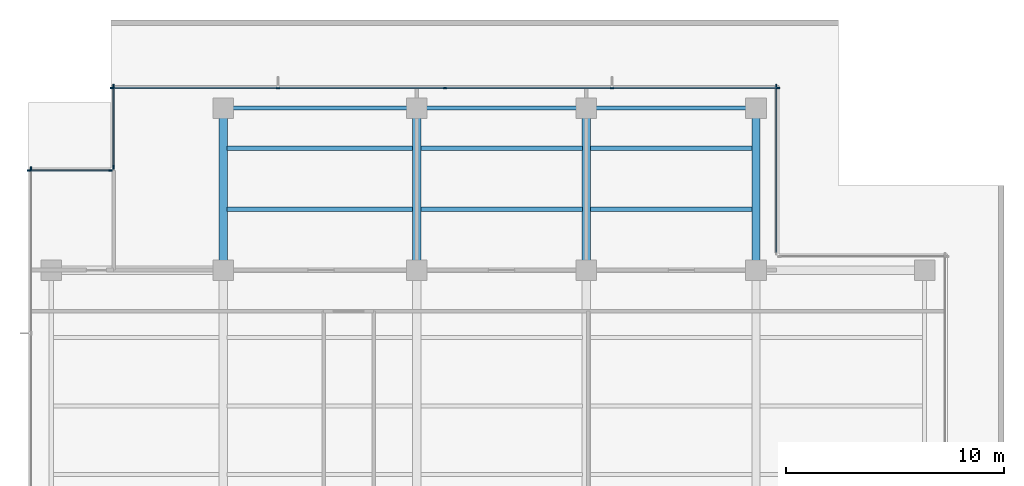
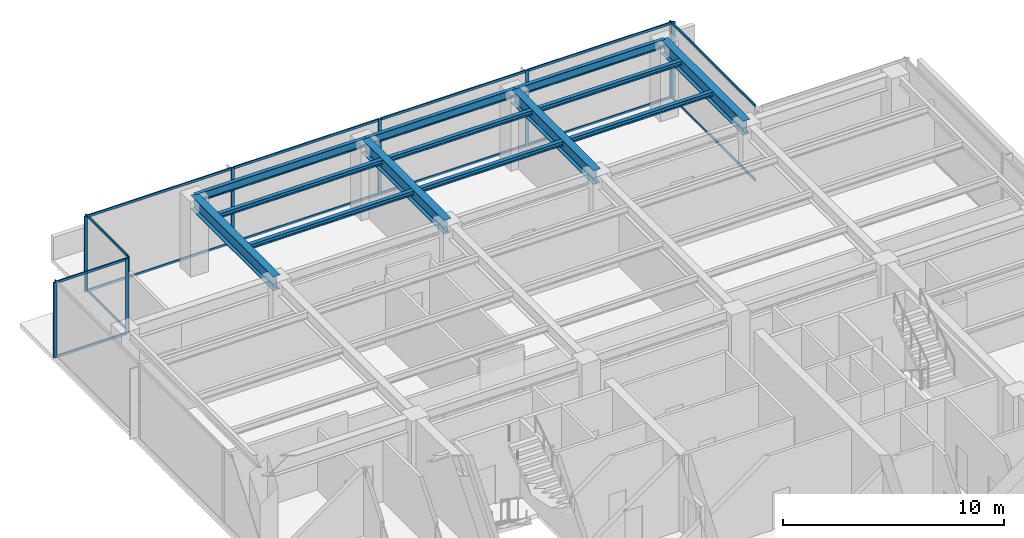
# One storey, part 5 of 14: 25 members, 13 beams, 5 elements without a shape of their own.
"""IFC4 building model written with IfcOpenShell, lengths in metres."""

from ifc_helpers import new_model, si_unit, direction, frame, origin, origin_2d, place, context, subcontext, project, spatial, rectangle, i_section, extrude, material, layer, layer_set, material_profile, profile_set, type_object, element, aggregate, save


model = new_model("IFC4")

# Units and contexts
model_context = context("Model", 3, precision=1e-05, world=origin(), true_north=direction((0.0, 1.0)))
body_context = subcontext(model_context, "Body", "Model", "MODEL_VIEW")
ifc_project = project(units=[si_unit("LENGTHUNIT", "METRE"), si_unit("AREAUNIT", "SQUARE_METRE"), si_unit("VOLUMEUNIT", "CUBIC_METRE"), si_unit("PLANEANGLEUNIT", "RADIAN"), si_unit("MASSUNIT", "GRAM", prefix="KILO")], contexts=[model_context])

# Site, building, storey
site_placement = place(None, origin())
site = spatial("IfcSite", under=ifc_project, at=site_placement, CompositionType="ELEMENT")
building_placement = place(site_placement, origin())
building = spatial("IfcBuilding", under=site, at=building_placement, Name="Qalmaran Belvedere Hotel", CompositionType="ELEMENT")
storey_placement = place(building_placement, frame((0.0, 0.0, 192.5)))
storey = spatial("IfcBuildingStorey", under=building, at=storey_placement, Name="L48", CompositionType="ELEMENT", Elevation=192.5)

# Beams
ifc_material_1 = material(Name="Steel S355JR", Category="steel")
ifc_material_profile_1 = material_profile(ifc_material_1, i_section(OverallWidth=0.201904296875, OverallDepth=0.2470703125, WebThickness=0.00732421875, FlangeThickness=0.010986328125, FilletRadius=0.011962890625, at=origin_2d()), Name="W250X49")
ifc_profile_set_1 = profile_set([ifc_material_profile_1], Name="Steel S355JR")
beam_type_1 = type_object("IfcBeamType", Name="BM-JST-W250X49", PredefinedType="JOIST", material=ifc_profile_set_1)
beam_1_placement = place(storey_placement, frame((20.488525390625, 35.800048828125, 4.03662109375), z_axis=(1.0, 0.0, 0.0), x_axis=(0.0, 1.0, 0.0)))
element("IfcBeam", 1, at=beam_1_placement, inside=storey, type_object=beam_type_1, Name="L48 North Floor Joist 047", PredefinedType="JOIST", context=body_context, shape_type="SweptSolid", body=[
    extrude(i_section(OverallWidth=0.201904296875, OverallDepth=0.2470703125, WebThickness=0.00732421875, FlangeThickness=0.010986328125, FilletRadius=0.011962890625, at=origin_2d()), origin(), (0.0, 0.0, 1.0), 8.52294921875),
])
for number, where, z_axis, x_axis, name in (
    (2, (29.388427734375, 35.800048828125, 4.03662109375), (1.0, 0.0, 0.0), (0.0, 1.0, 0.0), "L48 North Floor Joist 048"),
    (3, (37.1884765625, 35.800048828125, 4.03662109375), (1.0, 0.0, 0.0), (0.0, 1.0, 0.0), "L48 North Floor Joist 049"),
):
    element("IfcBeam", number, at=place(storey_placement, frame(where, z_axis=z_axis, x_axis=x_axis)), inside=storey, type_object=beam_type_1, Name=name, PredefinedType="JOIST", context=body_context, shape_type="SweptSolid", body=[
        extrude(i_section(OverallWidth=0.201904296875, OverallDepth=0.2470703125, WebThickness=0.00732421875, FlangeThickness=0.010986328125, FilletRadius=0.011962890625, at=origin_2d()), origin(), (0.0, 0.0, 1.0), 7.423095703125),
    ])
beam_2_placement = place(storey_placement, frame((20.488525390625, 38.60009765625, 4.03662109375), z_axis=(1.0, 0.0, 0.0), x_axis=(0.0, 1.0, 0.0)))
element("IfcBeam", 4, at=beam_2_placement, inside=storey, type_object=beam_type_1, Name="L48 North Floor Joist 050", PredefinedType="JOIST", context=body_context, shape_type="SweptSolid", body=[
    extrude(i_section(OverallWidth=0.201904296875, OverallDepth=0.2470703125, WebThickness=0.00732421875, FlangeThickness=0.010986328125, FilletRadius=0.011962890625, at=origin_2d()), origin(), (0.0, 0.0, 1.0), 8.52294921875),
])
for number, where, z_axis, x_axis, name in (
    (5, (29.388427734375, 38.60009765625, 4.03662109375), (1.0, 0.0, 0.0), (0.0, 1.0, 0.0), "L48 North Floor Joist 051"),
    (6, (37.1884765625, 38.60009765625, 4.03662109375), (1.0, 0.0, 0.0), (0.0, 1.0, 0.0), "L48 North Floor Joist 052"),
):
    element("IfcBeam", number, at=place(storey_placement, frame(where, z_axis=z_axis, x_axis=x_axis)), inside=storey, type_object=beam_type_1, Name=name, PredefinedType="JOIST", context=body_context, shape_type="SweptSolid", body=[
        extrude(i_section(OverallWidth=0.201904296875, OverallDepth=0.2470703125, WebThickness=0.00732421875, FlangeThickness=0.010986328125, FilletRadius=0.011962890625, at=origin_2d()), origin(), (0.0, 0.0, 1.0), 7.423095703125),
    ])
ifc_material_profile_2 = material_profile(ifc_material_1, i_section(OverallWidth=0.381103515625, OverallDepth=0.77294921875, WebThickness=0.0166015625, FlangeThickness=0.027099609375, FilletRadius=0.02197265625, at=origin_2d()), Name="W760X257")
ifc_profile_set_2 = profile_set([ifc_material_profile_2], Name="Steel S355JR")
beam_type_2 = type_object("IfcBeamType", Name="BM-PG4-W760X257", PredefinedType="USERDEFINED", material=ifc_profile_set_2)
for number, where, z_axis, x_axis, name in (
    (7, (20.300048828125, 33.0, 3.7734375), (0.0, 1.0, 0.0), (-1.0, 0.0, 0.0), "L48 North Bay Girder 15"),
    (8, (29.199951171875, 33.0, 3.7734375), (0.0, 1.0, 0.0), (-1.0, 0.0, 0.0), "L48 North Bay Girder 17"),
    (9, (37.0, 33.0, 3.7734375), (0.0, 1.0, 0.0), (-1.0, 0.0, 0.0), "L48 North Bay Girder 19"),
    (10, (44.800048828125, 33.0, 3.7734375), (0.0, 1.0, 0.0), (-1.0, 0.0, 0.0), "L48 North Bay Girder 21"),
):
    element("IfcBeam", number, at=place(storey_placement, frame(where, z_axis=z_axis, x_axis=x_axis)), inside=storey, type_object=beam_type_2, Name=name, ObjectType="GIRDER", PredefinedType="USERDEFINED", context=body_context, shape_type="SweptSolid", body=[
        extrude(i_section(OverallWidth=0.381103515625, OverallDepth=0.77294921875, WebThickness=0.0166015625, FlangeThickness=0.027099609375, FilletRadius=0.02197265625, at=origin_2d()), origin(), (0.0, 0.0, 1.0), 7.449951171875),
    ])
ifc_material_profile_3 = material_profile(ifc_material_1, i_section(OverallWidth=0.19189453125, OverallDepth=0.462890625, WebThickness=0.010498046875, FlangeThickness=0.017578125, FilletRadius=0.01611328125, at=origin_2d()), Name="W460X89")
ifc_profile_set_3 = profile_set([ifc_material_profile_3], Name="Steel S355JR")
beam_type_3 = type_object("IfcBeamType", Name="BM-SP2-W460X89", PredefinedType="SPANDREL", material=ifc_profile_set_3)
beam_3_placement = place(storey_placement, frame((20.300048828125, 40.449951171875, 3.928466796875), z_axis=(1.0, 0.0, 0.0), x_axis=(0.0, 1.0, 0.0)))
element("IfcBeam", 11, at=beam_3_placement, inside=storey, type_object=beam_type_3, Name="L48 Perimeter Spandrel 05", PredefinedType="SPANDREL", context=body_context, shape_type="SweptSolid", body=[
    extrude(i_section(OverallWidth=0.19189453125, OverallDepth=0.462890625, WebThickness=0.010498046875, FlangeThickness=0.017578125, FilletRadius=0.01611328125, at=origin_2d()), origin(), (0.0, 0.0, 1.0), 8.89990234375),
])
for number, where, z_axis, x_axis, name in (
    (12, (29.199951171875, 40.449951171875, 3.928466796875), (1.0, 0.0, 0.0), (0.0, 1.0, 0.0), "L48 Perimeter Spandrel 06"),
    (13, (37.0, 40.449951171875, 3.928466796875), (1.0, 0.0, 0.0), (0.0, 1.0, 0.0), "L48 Perimeter Spandrel 07"),
):
    element("IfcBeam", number, at=place(storey_placement, frame(where, z_axis=z_axis, x_axis=x_axis)), inside=storey, type_object=beam_type_3, Name=name, PredefinedType="SPANDREL", context=body_context, shape_type="SweptSolid", body=[
        extrude(i_section(OverallWidth=0.19189453125, OverallDepth=0.462890625, WebThickness=0.010498046875, FlangeThickness=0.017578125, FilletRadius=0.01611328125, at=origin_2d()), origin(), (0.0, 0.0, 1.0), 7.800048828125),
    ])

# Curtain wall, member
ifc_material_2 = material(Name="Anodised Bronze Aluminium", Category="aluminium")
ifc_layer = layer(ifc_material_2, 0.18994140625, Name="Anodised Bronze Aluminium")
ifc_layer_set = layer_set([ifc_layer], Name="Anodised Bronze Aluminium")
curtain_wall_type = type_object("IfcCurtainWallType", Name="CW5-TOWER-UPPER", PredefinedType="NOTDEFINED", material=ifc_layer_set)
curtain_wall_1_placement = place(storey_placement, origin())
curtain_wall_1 = element("IfcCurtainWall", 14, at=curtain_wall_1_placement, inside=storey, type_object=curtain_wall_type, Name="L48 Curtain Wall CW5", PredefinedType="NOTDEFINED")
ifc_material_profile_4 = material_profile(ifc_material_2, rectangle(XDim=0.06494140625, YDim=0.1650390625, at=origin_2d()), Name="CWM65X165")
ifc_profile_set_4 = profile_set([ifc_material_profile_4], Name="Anodised Bronze Aluminium")
member_type_1 = type_object("IfcMemberType", Name="CWM-65X165", PredefinedType="MULLION", material=ifc_profile_set_4)
member_1_placement = place(storey_placement, frame((45.72998046875, 41.467529296875, 0.0), z_axis=(0.0, 0.0, 1.0), x_axis=(-1.0, 0.0, 0.0)))
member_1 = element("IfcMember", 15, at=member_1_placement, type_object=member_type_1, Name="CW5 mullion 2", PredefinedType="MULLION", context=body_context, shape_type="SweptSolid", body=[
    extrude(rectangle(XDim=0.06494140625, YDim=0.1650390625, at=origin_2d()), origin(), (0.0, 0.0, 1.0), 4.159912109375),
])

# Curtain wall, members
curtain_wall_2_placement = place(storey_placement, origin())
curtain_wall_2 = element("IfcCurtainWall", 16, at=curtain_wall_2_placement, inside=storey, type_object=curtain_wall_type, Name="L48 Curtain Wall CW5", PredefinedType="NOTDEFINED")
member_2_placement = place(storey_placement, frame((45.8173828125, 41.3798828125, 0.0), z_axis=(0.0, 0.0, 1.0), x_axis=(0.0, -1.0, 0.0)))
member_2 = element("IfcMember", 17, at=member_2_placement, type_object=member_type_1, Name="CW5 mullion 1", PredefinedType="MULLION", context=body_context, shape_type="SweptSolid", body=[
    extrude(rectangle(XDim=0.06494140625, YDim=0.1650390625, at=origin_2d()), origin(), (0.0, 0.0, 1.0), 4.159912109375),
])
member_3_placement = place(storey_placement, frame((38.175048828125, 41.3798828125, 0.0), z_axis=(0.0, 0.0, 1.0), x_axis=(0.0, -1.0, 0.0)))
member_3 = element("IfcMember", 18, at=member_3_placement, type_object=member_type_1, Name="CW5 mullion 2", PredefinedType="MULLION", context=body_context, shape_type="SweptSolid", body=[
    extrude(rectangle(XDim=0.06494140625, YDim=0.1650390625, at=origin_2d()), origin(), (0.0, 0.0, 1.0), 4.159912109375),
])
member_4_placement = place(storey_placement, frame((30.5, 41.3798828125, 0.0), z_axis=(0.0, 0.0, 1.0), x_axis=(0.0, -1.0, 0.0)))
member_4 = element("IfcMember", 19, at=member_4_placement, type_object=member_type_1, Name="CW5 mullion 3", PredefinedType="MULLION", context=body_context, shape_type="SweptSolid", body=[
    extrude(rectangle(XDim=0.06494140625, YDim=0.1650390625, at=origin_2d()), origin(), (0.0, 0.0, 1.0), 4.159912109375),
])
member_5_placement = place(storey_placement, frame((22.824951171875, 41.3798828125, 0.0), z_axis=(0.0, 0.0, 1.0), x_axis=(0.0, -1.0, 0.0)))
member_5 = element("IfcMember", 20, at=member_5_placement, type_object=member_type_1, Name="CW5 mullion 4", PredefinedType="MULLION", context=body_context, shape_type="SweptSolid", body=[
    extrude(rectangle(XDim=0.06494140625, YDim=0.1650390625, at=origin_2d()), origin(), (0.0, 0.0, 1.0), 4.159912109375),
])
member_6_placement = place(storey_placement, frame((15.1826171875, 41.3798828125, 0.0), z_axis=(0.0, 0.0, 1.0), x_axis=(0.0, -1.0, 0.0)))
member_6 = element("IfcMember", 21, at=member_6_placement, type_object=member_type_1, Name="CW5 mullion 5", PredefinedType="MULLION", context=body_context, shape_type="SweptSolid", body=[
    extrude(rectangle(XDim=0.06494140625, YDim=0.1650390625, at=origin_2d()), origin(), (0.0, 0.0, 1.0), 4.159912109375),
])

curtain_wall_3_placement = place(storey_placement, origin())
curtain_wall_3 = element("IfcCurtainWall", 22, at=curtain_wall_3_placement, inside=storey, type_object=curtain_wall_type, Name="L48 Curtain Wall CW5", PredefinedType="NOTDEFINED")
member_7_placement = place(storey_placement, frame((15.27001953125, 41.467529296875, 0.0), z_axis=(0.0, 0.0, 1.0), x_axis=(1.0, 0.0, 0.0)))
member_7 = element("IfcMember", 23, at=member_7_placement, type_object=member_type_1, Name="CW5 mullion 1", PredefinedType="MULLION", context=body_context, shape_type="SweptSolid", body=[
    extrude(rectangle(XDim=0.06494140625, YDim=0.1650390625, at=origin_2d()), origin(), (0.0, 0.0, 1.0), 4.159912109375),
])
member_8_placement = place(storey_placement, frame((15.27001953125, 37.732421875, 0.0), z_axis=(0.0, 0.0, 1.0), x_axis=(1.0, 0.0, 0.0)))
member_8 = element("IfcMember", 24, at=member_8_placement, type_object=member_type_1, Name="CW5 mullion 2", PredefinedType="MULLION", context=body_context, shape_type="SweptSolid", body=[
    extrude(rectangle(XDim=0.06494140625, YDim=0.1650390625, at=origin_2d()), origin(), (0.0, 0.0, 1.0), 4.159912109375),
])

curtain_wall_4_placement = place(storey_placement, origin())
curtain_wall_4 = element("IfcCurtainWall", 25, at=curtain_wall_4_placement, inside=storey, type_object=curtain_wall_type, Name="L48 Curtain Wall CW5", PredefinedType="NOTDEFINED")
member_9_placement = place(storey_placement, frame((15.117431640625, 37.580078125, 0.0), z_axis=(0.0, 0.0, 1.0), x_axis=(0.0, -1.0, 0.0)))
member_9 = element("IfcMember", 26, at=member_9_placement, type_object=member_type_1, Name="CW5 mullion 1", PredefinedType="MULLION", context=body_context, shape_type="SweptSolid", body=[
    extrude(rectangle(XDim=0.06494140625, YDim=0.1650390625, at=origin_2d()), origin(), (0.0, 0.0, 1.0), 4.159912109375),
])
member_10_placement = place(storey_placement, frame((11.382568359375, 37.580078125, 0.0), z_axis=(0.0, 0.0, 1.0), x_axis=(0.0, -1.0, 0.0)))
member_10 = element("IfcMember", 27, at=member_10_placement, type_object=member_type_1, Name="CW5 mullion 2", PredefinedType="MULLION", context=body_context, shape_type="SweptSolid", body=[
    extrude(rectangle(XDim=0.06494140625, YDim=0.1650390625, at=origin_2d()), origin(), (0.0, 0.0, 1.0), 4.159912109375),
])

# Curtain wall, member
curtain_wall_5_placement = place(storey_placement, origin())
curtain_wall_5 = element("IfcCurtainWall", 28, at=curtain_wall_5_placement, inside=storey, type_object=curtain_wall_type, Name="L48 Curtain Wall CW5", PredefinedType="NOTDEFINED")
member_11_placement = place(storey_placement, frame((11.469970703125, 37.66748046875, 0.0), z_axis=(0.0, 0.0, 1.0), x_axis=(1.0, 0.0, 0.0)))
member_11 = element("IfcMember", 29, at=member_11_placement, type_object=member_type_1, Name="CW5 mullion 1", PredefinedType="MULLION", context=body_context, shape_type="SweptSolid", body=[
    extrude(rectangle(XDim=0.06494140625, YDim=0.1650390625, at=origin_2d()), origin(), (0.0, 0.0, 1.0), 4.159912109375),
])
aggregate(curtain_wall_5, [member_11])

# Member
ifc_material_profile_5 = material_profile(ifc_material_2, rectangle(XDim=0.06494140625, YDim=0.1298828125, at=origin_2d()), Name="CWT65X130")
ifc_profile_set_5 = profile_set([ifc_material_profile_5], Name="Anodised Bronze Aluminium")
member_type_2 = type_object("IfcMemberType", Name="CWT-65X130", PredefinedType="USERDEFINED", material=ifc_profile_set_5)
member_12_placement = place(storey_placement, frame((45.72998046875, 33.81494140625, 0.032470703125), z_axis=(0.0, 1.0, 0.0), x_axis=(-1.0, 0.0, 0.0)))
member_12 = element("IfcMember", 30, at=member_12_placement, type_object=member_type_2, Name="CW5 transom 1.1", ObjectType="TRANSOM", PredefinedType="USERDEFINED", context=body_context, shape_type="SweptSolid", body=[
    extrude(rectangle(XDim=0.06494140625, YDim=0.1298828125, at=origin_2d()), origin(), (0.0, 0.0, 1.0), 7.6201171875),
])

member_13_placement = place(storey_placement, frame((45.72998046875, 33.81494140625, 4.12744140625), z_axis=(0.0, 1.0, 0.0), x_axis=(-1.0, 0.0, 0.0)))
member_13 = element("IfcMember", 31, at=member_13_placement, type_object=member_type_2, Name="CW5 transom 1.2", ObjectType="TRANSOM", PredefinedType="USERDEFINED", context=body_context, shape_type="SweptSolid", body=[
    extrude(rectangle(XDim=0.06494140625, YDim=0.1298828125, at=origin_2d()), origin(), (0.0, 0.0, 1.0), 7.6201171875),
])

aggregate(curtain_wall_1, [member_1, member_12, member_13])

member_14_placement = place(storey_placement, frame((45.784912109375, 41.3798828125, 0.032470703125), z_axis=(-1.0, 0.0, 0.0), x_axis=(0.0, -1.0, 0.0)))
member_14 = element("IfcMember", 32, at=member_14_placement, type_object=member_type_2, Name="CW5 transom 1.1", ObjectType="TRANSOM", PredefinedType="USERDEFINED", context=body_context, shape_type="SweptSolid", body=[
    extrude(rectangle(XDim=0.06494140625, YDim=0.1298828125, at=origin_2d()), origin(), (0.0, 0.0, 1.0), 7.577392578125),
])

member_15_placement = place(storey_placement, frame((45.784912109375, 41.3798828125, 4.12744140625), z_axis=(-1.0, 0.0, 0.0), x_axis=(0.0, -1.0, 0.0)))
member_15 = element("IfcMember", 33, at=member_15_placement, type_object=member_type_2, Name="CW5 transom 1.2", ObjectType="TRANSOM", PredefinedType="USERDEFINED", context=body_context, shape_type="SweptSolid", body=[
    extrude(rectangle(XDim=0.06494140625, YDim=0.1298828125, at=origin_2d()), origin(), (0.0, 0.0, 1.0), 7.577392578125),
])

member_16_placement = place(storey_placement, frame((38.142578125, 41.3798828125, 0.032470703125), z_axis=(-1.0, 0.0, 0.0), x_axis=(0.0, -1.0, 0.0)))
member_16 = element("IfcMember", 34, at=member_16_placement, type_object=member_type_2, Name="CW5 transom 2.1", ObjectType="TRANSOM", PredefinedType="USERDEFINED", context=body_context, shape_type="SweptSolid", body=[
    extrude(rectangle(XDim=0.06494140625, YDim=0.1298828125, at=origin_2d()), origin(), (0.0, 0.0, 1.0), 7.610107421875),
])

member_17_placement = place(storey_placement, frame((38.142578125, 41.3798828125, 4.12744140625), z_axis=(-1.0, 0.0, 0.0), x_axis=(0.0, -1.0, 0.0)))
member_17 = element("IfcMember", 35, at=member_17_placement, type_object=member_type_2, Name="CW5 transom 2.2", ObjectType="TRANSOM", PredefinedType="USERDEFINED", context=body_context, shape_type="SweptSolid", body=[
    extrude(rectangle(XDim=0.06494140625, YDim=0.1298828125, at=origin_2d()), origin(), (0.0, 0.0, 1.0), 7.610107421875),
])

member_18_placement = place(storey_placement, frame((30.467529296875, 41.3798828125, 0.032470703125), z_axis=(-1.0, 0.0, 0.0), x_axis=(0.0, -1.0, 0.0)))
member_18 = element("IfcMember", 36, at=member_18_placement, type_object=member_type_2, Name="CW5 transom 3.1", ObjectType="TRANSOM", PredefinedType="USERDEFINED", context=body_context, shape_type="SweptSolid", body=[
    extrude(rectangle(XDim=0.06494140625, YDim=0.1298828125, at=origin_2d()), origin(), (0.0, 0.0, 1.0), 7.610107421875),
])

member_19_placement = place(storey_placement, frame((30.467529296875, 41.3798828125, 4.12744140625), z_axis=(-1.0, 0.0, 0.0), x_axis=(0.0, -1.0, 0.0)))
member_19 = element("IfcMember", 37, at=member_19_placement, type_object=member_type_2, Name="CW5 transom 3.2", ObjectType="TRANSOM", PredefinedType="USERDEFINED", context=body_context, shape_type="SweptSolid", body=[
    extrude(rectangle(XDim=0.06494140625, YDim=0.1298828125, at=origin_2d()), origin(), (0.0, 0.0, 1.0), 7.610107421875),
])

member_20_placement = place(storey_placement, frame((22.79248046875, 41.3798828125, 0.032470703125), z_axis=(-1.0, 0.0, 0.0), x_axis=(0.0, -1.0, 0.0)))
member_20 = element("IfcMember", 38, at=member_20_placement, type_object=member_type_2, Name="CW5 transom 4.1", ObjectType="TRANSOM", PredefinedType="USERDEFINED", context=body_context, shape_type="SweptSolid", body=[
    extrude(rectangle(XDim=0.06494140625, YDim=0.1298828125, at=origin_2d()), origin(), (0.0, 0.0, 1.0), 7.577392578125),
])

member_21_placement = place(storey_placement, frame((22.79248046875, 41.3798828125, 4.12744140625), z_axis=(-1.0, 0.0, 0.0), x_axis=(0.0, -1.0, 0.0)))
member_21 = element("IfcMember", 39, at=member_21_placement, type_object=member_type_2, Name="CW5 transom 4.2", ObjectType="TRANSOM", PredefinedType="USERDEFINED", context=body_context, shape_type="SweptSolid", body=[
    extrude(rectangle(XDim=0.06494140625, YDim=0.1298828125, at=origin_2d()), origin(), (0.0, 0.0, 1.0), 7.577392578125),
])

aggregate(curtain_wall_2, [member_2, member_3, member_4, member_5, member_6, member_14, member_15, member_16, member_17, member_18, member_19, member_20, member_21])

member_22_placement = place(storey_placement, frame((15.27001953125, 41.43505859375, 0.032470703125), z_axis=(0.0, -1.0, 0.0), x_axis=(1.0, 0.0, 0.0)))
member_22 = element("IfcMember", 40, at=member_22_placement, type_object=member_type_2, Name="CW5 transom 1.1", ObjectType="TRANSOM", PredefinedType="USERDEFINED", context=body_context, shape_type="SweptSolid", body=[
    extrude(rectangle(XDim=0.06494140625, YDim=0.1298828125, at=origin_2d()), origin(), (0.0, 0.0, 1.0), 3.670166015625),
])

member_23_placement = place(storey_placement, frame((15.27001953125, 41.43505859375, 4.12744140625), z_axis=(0.0, -1.0, 0.0), x_axis=(1.0, 0.0, 0.0)))
member_23 = element("IfcMember", 41, at=member_23_placement, type_object=member_type_2, Name="CW5 transom 1.2", ObjectType="TRANSOM", PredefinedType="USERDEFINED", context=body_context, shape_type="SweptSolid", body=[
    extrude(rectangle(XDim=0.06494140625, YDim=0.1298828125, at=origin_2d()), origin(), (0.0, 0.0, 1.0), 3.670166015625),
])

aggregate(curtain_wall_3, [member_7, member_8, member_22, member_23])

member_24_placement = place(storey_placement, frame((15.0849609375, 37.580078125, 0.032470703125), z_axis=(-1.0, 0.0, 0.0), x_axis=(0.0, -1.0, 0.0)))
member_24 = element("IfcMember", 42, at=member_24_placement, type_object=member_type_2, Name="CW5 transom 1.1", ObjectType="TRANSOM", PredefinedType="USERDEFINED", context=body_context, shape_type="SweptSolid", body=[
    extrude(rectangle(XDim=0.06494140625, YDim=0.1298828125, at=origin_2d()), origin(), (0.0, 0.0, 1.0), 3.669921875),
])

member_25_placement = place(storey_placement, frame((15.0849609375, 37.580078125, 4.12744140625), z_axis=(-1.0, 0.0, 0.0), x_axis=(0.0, -1.0, 0.0)))
member_25 = element("IfcMember", 43, at=member_25_placement, type_object=member_type_2, Name="CW5 transom 1.2", ObjectType="TRANSOM", PredefinedType="USERDEFINED", context=body_context, shape_type="SweptSolid", body=[
    extrude(rectangle(XDim=0.06494140625, YDim=0.1298828125, at=origin_2d()), origin(), (0.0, 0.0, 1.0), 3.669921875),
])

aggregate(curtain_wall_4, [member_9, member_10, member_24, member_25])

save(model, "model.ifc")
